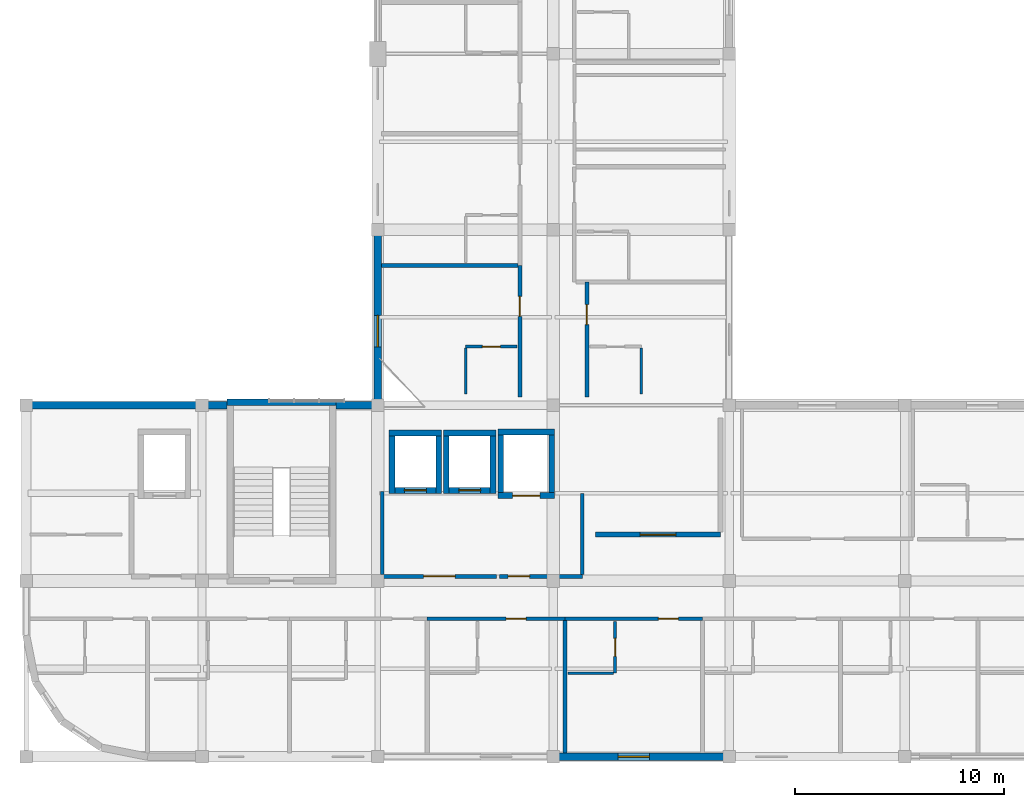
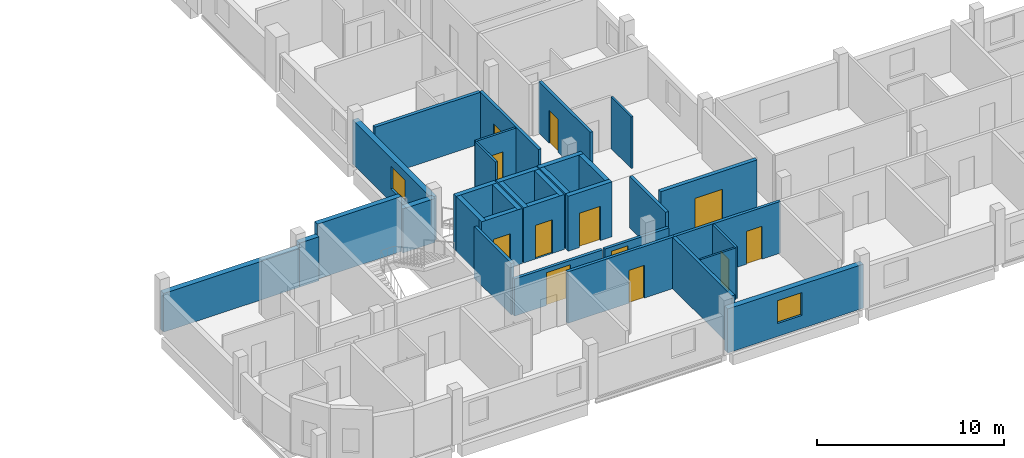
# One storey, part 12 of 24: 34 walls, 12 doors, 2 windows, 14 openings.
"""IFC4 building model written with IfcOpenShell, lengths in metres."""

from ifc_helpers import new_model, si_unit, derived_unit, direction, frame, frame_2d, origin, place, context, subcontext, project, spatial, rectangle, extrude, material, layer, layer_set, type_object, element, fill, save


model = new_model("IFC4")

# Units and contexts
model_context = context("Model", 3, precision=1e-05, world=origin(), true_north=direction((0.0, 1.0)))
body_context = subcontext(model_context, "Body", "Model", "MODEL_VIEW")
ifc_project = project(units=[si_unit("LENGTHUNIT", "METRE"), si_unit("AREAUNIT", "SQUARE_METRE"), si_unit("VOLUMEUNIT", "CUBIC_METRE"), si_unit("PLANEANGLEUNIT", "RADIAN"), si_unit("MASSUNIT", "GRAM", prefix="KILO"), derived_unit("THERMALTRANSMITTANCEUNIT", [(si_unit("POWERUNIT", "WATT"), 1), (si_unit("LENGTHUNIT", "METRE"), -2), (si_unit("THERMODYNAMICTEMPERATUREUNIT", "KELVIN"), -1)])], contexts=[model_context])

# Site, building, storey
site_placement = place(None, origin())
site = spatial("IfcSite", under=ifc_project, at=site_placement, CompositionType="ELEMENT")
building_placement = place(site_placement, origin())
building = spatial("IfcBuilding", under=site, at=building_placement, Name="Barrovel Congress Hotel", CompositionType="ELEMENT")
storey_placement = place(building_placement, frame((0.0, 0.0, 29.10009765625)))
storey = spatial("IfcBuildingStorey", under=building, at=storey_placement, Name="L07", CompositionType="ELEMENT", Elevation=29.10009765625)

# Walls
ifc_material_1 = material(Name="Fired Clay Brick Masonry", Category="masonry")
ifc_layer_1 = layer(ifc_material_1, 0.340087890625)
ifc_layer_set_1 = layer_set([ifc_layer_1], Name="Fired Clay Brick Masonry")
wall_type_1 = type_object("IfcWallType", Name="EW-BRK340", PredefinedType="STANDARD", material=ifc_layer_set_1)
wall_1_placement = place(storey_placement, frame((33.60009765625, 21.0, 0.0), z_axis=(0.0, 0.0, 1.0), x_axis=(-1.0, 0.0, 0.0)))
element("IfcWall", 1, at=wall_1_placement, inside=storey, type_object=wall_type_1, Name="EW:L07:HS-NW-1", PredefinedType="STANDARD", context=body_context, shape_type="SweptSolid", body=[
    extrude(rectangle(XDim=2.0, YDim=0.340087890625, at=frame_2d((1.0, 0.0))), origin(), (0.0, 0.0, 1.0), 2.8798828125),
])
wall_2_placement = place(storey_placement, frame((25.199951171875, 21.0, 0.0), z_axis=(0.0, 0.0, 1.0), x_axis=(-1.0, 0.0, 0.0)))
element("IfcWall", 2, at=wall_2_placement, inside=storey, type_object=wall_type_1, Name="EW:L07:HS-NW-2", PredefinedType="STANDARD", context=body_context, shape_type="SweptSolid", body=[
    extrude(rectangle(XDim=8.39990234375, YDim=0.340087890625, at=frame_2d((4.199951171875, 0.0))), origin(), (0.0, 0.0, 1.0), 2.52978515625),
])

# Wall, opening, window
wall_3_placement = place(storey_placement, frame((42.0, 4.199951171875, 0.0), z_axis=(0.0, 0.0, 1.0), x_axis=(1.0, 0.0, 0.0)))
wall_3 = element("IfcWall", 3, at=wall_3_placement, inside=storey, type_object=wall_type_1, Name="EW:L07:HS-S:P03", PredefinedType="STANDARD", context=body_context, shape_type="SweptSolid", body=[
    extrude(rectangle(XDim=8.39990234375, YDim=0.340087890625, at=frame_2d((4.199951171875, 0.0))), origin(), (0.0, 0.0, 1.0), 2.8798828125),
])
opening_1_placement = place(wall_3_placement, frame((3.091796875, 0.0, 0.85009765625)))
opening_1 = element("IfcOpeningElement", 4, at=opening_1_placement, cuts=wall_3, Name="Opening WN-07", PredefinedType="OPENING", context=body_context, shape_type="SweptSolid", body=[
    extrude(rectangle(XDim=1.5, YDim=1.5, at=frame_2d((0.75, 0.75))), frame((0.0, 0.18017578125, 0.0), z_axis=(0.0, -1.0, 0.0), x_axis=(1.0, 0.0, 0.0)), (0.0, 0.0, 1.0), 0.360107421875),
])
ifc_material_2 = material(Name="Double Low-E Insulated Glazing", Category="glass")
window_type = type_object("IfcWindowType", Name="WIN-WN-07", PartitioningType="SINGLE_PANEL", PredefinedType="WINDOW", material=ifc_material_2)
window_1_placement = place(opening_1_placement, origin())
window_1 = element("IfcWindow", 5, at=window_1_placement, inside=storey, type_object=window_type, Name="WIN:L07:U05", OverallHeight=1.5, OverallWidth=1.5, PartitioningType="SINGLE_PANEL", PredefinedType="WINDOW", context=body_context, shape_type="SweptSolid", body=[
    extrude(rectangle(XDim=1.5, YDim=1.5, at=frame_2d((0.75, 0.75))), frame((0.0, 0.030029296875, 0.0), z_axis=(0.0, -1.0, 0.0), x_axis=(1.0, 0.0, 0.0)), (0.0, 0.0, 1.0), 0.06005859375),
])
fill(opening_1, window_1)

wall_4_placement = place(storey_placement, frame((33.60009765625, 29.39990234375, 0.0), z_axis=(0.0, 0.0, 1.0), x_axis=(0.0, -1.0, 0.0)))
wall_4 = element("IfcWall", 6, at=wall_4_placement, inside=storey, type_object=wall_type_1, Name="EW:L07:HW-W:P04", PredefinedType="STANDARD", context=body_context, shape_type="SweptSolid", body=[
    extrude(rectangle(XDim=8.39990234375, YDim=0.340087890625, at=frame_2d((4.199951171875, 0.0))), origin(), (0.0, 0.0, 1.0), 2.8798828125),
])
opening_2_placement = place(wall_4_placement, frame((4.105712890625, 0.0, 0.85009765625)))
opening_2 = element("IfcOpeningElement", 7, at=opening_2_placement, cuts=wall_4, Name="Opening WN-07", PredefinedType="OPENING", context=body_context, shape_type="SweptSolid", body=[
    extrude(rectangle(XDim=1.5, YDim=1.5, at=frame_2d((0.75, 0.75))), frame((0.0, 0.18017578125, 0.0), z_axis=(0.0, -1.0, 0.0), x_axis=(1.0, 0.0, 0.0)), (0.0, 0.0, 1.0), 0.360107421875),
])
window_2_placement = place(opening_2_placement, origin())
window_2 = element("IfcWindow", 8, at=window_2_placement, inside=storey, type_object=window_type, Name="WIN:L07:U28", OverallHeight=1.5, OverallWidth=1.5, PartitioningType="SINGLE_PANEL", PredefinedType="WINDOW", context=body_context, shape_type="SweptSolid", body=[
    extrude(rectangle(XDim=1.5, YDim=1.5, at=frame_2d((0.75, 0.75))), frame((0.0, 0.030029296875, 0.0), z_axis=(0.0, -1.0, 0.0), x_axis=(1.0, 0.0, 0.0)), (0.0, 0.0, 1.0), 0.06005859375),
])
fill(opening_2, window_2)

# Wall
wall_5_placement = place(storey_placement, frame((26.39990234375, 21.0, 0.0), z_axis=(0.0, 0.0, 1.0), x_axis=(-1.0, 0.0, 0.0)))
element("IfcWall", 9, at=wall_5_placement, inside=storey, type_object=wall_type_1, Name="EW:L07:HS-NW-2:P01", PredefinedType="STANDARD", context=body_context, shape_type="SweptSolid", body=[
    extrude(rectangle(XDim=1.199951171875, YDim=0.340087890625, at=frame_2d((0.60009765625, 0.0))), origin(), (0.0, 0.0, 1.0), 2.8798828125),
])

# Wall, opening, door
ifc_material_3 = material(Name="Gypsum Acoustic Stud", Category="gypsum")
ifc_layer_2 = layer(ifc_material_3, 0.179931640625)
ifc_layer_set_2 = layer_set([ifc_layer_2], Name="Gypsum Acoustic Stud")
wall_type_2 = type_object("IfcWallType", Name="PW-ACU-180", PredefinedType="PARTITIONING", material=ifc_layer_set_2)
wall_6_placement = place(storey_placement, frame((35.966796875, 10.800048828125, 0.0), z_axis=(0.0, 0.0, 1.0), x_axis=(1.0, 0.0, 0.0)))
wall_6 = element("IfcWall", 10, at=wall_6_placement, inside=storey, type_object=wall_type_2, Name="PW:L07:U04:COR", PredefinedType="PARTITIONING", context=body_context, shape_type="SweptSolid", body=[
    extrude(rectangle(XDim=6.583251953125, YDim=0.179931640625, at=frame_2d((3.29150390625, 0.0))), origin(), (0.0, 0.0, 1.0), 3.375),
])
opening_3_placement = place(wall_6_placement, frame((3.7685546875, 0.0, 0.0)))
opening_3 = element("IfcOpeningElement", 11, at=opening_3_placement, cuts=wall_6, Name="Opening ID-HTL", PredefinedType="OPENING", context=body_context, shape_type="SweptSolid", body=[
    extrude(rectangle(XDim=0.9599609375, YDim=2.14990234375, at=frame_2d((0.47998046875, 1.074951171875))), frame((0.0, 0.10009765625, 0.0), z_axis=(0.0, -1.0, 0.0), x_axis=(1.0, 0.0, 0.0)), (0.0, 0.0, 1.0), 0.199951171875),
])
ifc_material_4 = material(Name="Solid Oak Acoustic Timber Door", Category="wood")
door_type_1 = type_object("IfcDoorType", Name="IDR-ID-HTL", OperationType="NOTDEFINED", PredefinedType="DOOR", material=ifc_material_4)
door_1_placement = place(opening_3_placement, origin())
door_1 = element("IfcDoor", 12, at=door_1_placement, inside=storey, type_object=door_type_1, Name="DR:L07:U04:ENT", OperationType="SINGLE_SWING_RIGHT", OverallHeight=2.14990234375, OverallWidth=0.9599609375, PredefinedType="DOOR", context=body_context, shape_type="SweptSolid", body=[
    extrude(rectangle(XDim=0.9599609375, YDim=2.14990234375, at=frame_2d((0.47998046875, 1.074951171875))), frame((0.0, 0.02490234375, 0.0), z_axis=(0.0, -1.0, 0.0), x_axis=(1.0, 0.0, 0.0)), (0.0, 0.0, 1.0), 0.050048828125),
])
fill(opening_3, door_1)

wall_7_placement = place(storey_placement, frame((42.550048828125, 10.800048828125, 0.0), z_axis=(0.0, 0.0, 1.0), x_axis=(1.0, 0.0, 0.0)))
wall_7 = element("IfcWall", 13, at=wall_7_placement, inside=storey, type_object=wall_type_2, Name="PW:L07:U05:COR", PredefinedType="PARTITIONING", context=body_context, shape_type="SweptSolid", body=[
    extrude(rectangle(XDim=6.583251953125, YDim=0.179931640625, at=frame_2d((3.29150390625, 0.0))), origin(), (0.0, 0.0, 1.0), 3.375),
])
opening_4_placement = place(wall_7_placement, frame((4.468505859375, 0.0, 0.0)))
opening_4 = element("IfcOpeningElement", 14, at=opening_4_placement, cuts=wall_7, Name="Opening ID-HTL", PredefinedType="OPENING", context=body_context, shape_type="SweptSolid", body=[
    extrude(rectangle(XDim=0.9599609375, YDim=2.14990234375, at=frame_2d((0.47998046875, 1.074951171875))), frame((0.0, 0.10009765625, 0.0), z_axis=(0.0, -1.0, 0.0), x_axis=(1.0, 0.0, 0.0)), (0.0, 0.0, 1.0), 0.199951171875),
])
door_2_placement = place(opening_4_placement, origin())
door_2 = element("IfcDoor", 15, at=door_2_placement, inside=storey, type_object=door_type_1, Name="DR:L07:U05:ENT", OperationType="SINGLE_SWING_RIGHT", OverallHeight=2.14990234375, OverallWidth=0.9599609375, PredefinedType="DOOR", context=body_context, shape_type="SweptSolid", body=[
    extrude(rectangle(XDim=0.9599609375, YDim=2.14990234375, at=frame_2d((0.47998046875, 1.074951171875))), frame((0.0, 0.02490234375, 0.0), z_axis=(0.0, -1.0, 0.0), x_axis=(1.0, 0.0, 0.0)), (0.0, 0.0, 1.0), 0.050048828125),
])
fill(opening_4, door_2)

wall_8_placement = place(storey_placement, frame((40.39990234375, 21.39990234375, 0.0), z_axis=(0.0, 0.0, 1.0), x_axis=(0.0, 1.0, 0.0)))
wall_8 = element("IfcWall", 16, at=wall_8_placement, inside=storey, type_object=wall_type_2, Name="PW:L07:U28:COR", PredefinedType="PARTITIONING", context=body_context, shape_type="SweptSolid", body=[
    extrude(rectangle(XDim=6.2890625, YDim=0.179931640625, at=frame_2d((3.14453125, 0.0))), origin(), (0.0, 0.0, 1.0), 3.375),
])
opening_5_placement = place(wall_8_placement, frame((3.849365234375, 0.0, 0.0)))
opening_5 = element("IfcOpeningElement", 17, at=opening_5_placement, cuts=wall_8, Name="Opening ID-HTL", PredefinedType="OPENING", context=body_context, shape_type="SweptSolid", body=[
    extrude(rectangle(XDim=0.9599609375, YDim=2.14990234375, at=frame_2d((0.47998046875, 1.074951171875))), frame((0.0, 0.10009765625, 0.0), z_axis=(0.0, -1.0, 0.0), x_axis=(1.0, 0.0, 0.0)), (0.0, 0.0, 1.0), 0.199951171875),
])
door_3_placement = place(opening_5_placement, origin())
door_3 = element("IfcDoor", 18, at=door_3_placement, inside=storey, type_object=door_type_1, Name="DR:L07:U28:ENT", OperationType="SINGLE_SWING_RIGHT", OverallHeight=2.14990234375, OverallWidth=0.9599609375, PredefinedType="DOOR", context=body_context, shape_type="SweptSolid", body=[
    extrude(rectangle(XDim=0.9599609375, YDim=2.14990234375, at=frame_2d((0.47998046875, 1.074951171875))), frame((0.0, 0.02490234375, 0.0), z_axis=(0.0, -1.0, 0.0), x_axis=(1.0, 0.0, 0.0)), (0.0, 0.0, 1.0), 0.050048828125),
])
fill(opening_5, door_3)

wall_9_placement = place(storey_placement, frame((43.60009765625, 21.39990234375, 0.0), z_axis=(0.0, 0.0, 1.0), x_axis=(0.0, 1.0, 0.0)))
wall_9 = element("IfcWall", 19, at=wall_9_placement, inside=storey, type_object=wall_type_2, Name="PW:L07:U37:COR", PredefinedType="PARTITIONING", context=body_context, shape_type="SweptSolid", body=[
    extrude(rectangle(XDim=5.5, YDim=0.179931640625, at=frame_2d((2.75, 0.0))), origin(), (0.0, 0.0, 1.0), 3.375),
])
opening_6_placement = place(wall_9_placement, frame((3.455078125, 0.0, 0.0)))
opening_6 = element("IfcOpeningElement", 20, at=opening_6_placement, cuts=wall_9, Name="Opening ID-HTL", PredefinedType="OPENING", context=body_context, shape_type="SweptSolid", body=[
    extrude(rectangle(XDim=0.9599609375, YDim=2.14990234375, at=frame_2d((0.47998046875, 1.074951171875))), frame((0.0, 0.10009765625, 0.0), z_axis=(0.0, -1.0, 0.0), x_axis=(1.0, 0.0, 0.0)), (0.0, 0.0, 1.0), 0.199951171875),
])
door_4_placement = place(opening_6_placement, origin())
door_4 = element("IfcDoor", 21, at=door_4_placement, inside=storey, type_object=door_type_1, Name="DR:L07:U37:ENT", OperationType="SINGLE_SWING_RIGHT", OverallHeight=2.14990234375, OverallWidth=0.9599609375, PredefinedType="DOOR", context=body_context, shape_type="SweptSolid", body=[
    extrude(rectangle(XDim=0.9599609375, YDim=2.14990234375, at=frame_2d((0.47998046875, 1.074951171875))), frame((0.0, 0.02490234375, 0.0), z_axis=(0.0, -1.0, 0.0), x_axis=(1.0, 0.0, 0.0)), (0.0, 0.0, 1.0), 0.050048828125),
])
fill(opening_6, door_4)

wall_10_placement = place(storey_placement, frame((33.820068359375, 12.820068359375, 0.0), z_axis=(0.0, 0.0, 1.0), x_axis=(1.0, 0.0, 0.0)))
wall_10 = element("IfcWall", 22, at=wall_10_placement, inside=storey, type_object=wall_type_2, Name="RW:SP:L07:LL-C1:S", PredefinedType="PARTITIONING", context=body_context, shape_type="SweptSolid", body=[
    extrude(rectangle(XDim=5.4599609375, YDim=0.179931640625, at=frame_2d((2.72998046875, 0.0))), origin(), (0.0, 0.0, 1.0), 2.429931640625),
])
opening_7_placement = place(wall_10_placement, frame((1.97998046875, 0.0, 0.0)))
opening_7 = element("IfcOpeningElement", 23, at=opening_7_placement, cuts=wall_10, Name="Opening ID-FFL", PredefinedType="OPENING", context=body_context, shape_type="SweptSolid", body=[
    extrude(rectangle(XDim=1.5, YDim=2.14990234375, at=frame_2d((0.75, 1.074951171875))), frame((0.0, 0.10009765625, 0.0), z_axis=(0.0, -1.0, 0.0), x_axis=(1.0, 0.0, 0.0)), (0.0, 0.0, 1.0), 0.199951171875),
])
ifc_material_5 = material(Name="Painted Hollow-Metal Steel Door", Category="steel")
door_type_2 = type_object("IfcDoorType", Name="IDR-ID-FFL", OperationType="NOTDEFINED", PredefinedType="DOOR", material=ifc_material_5)
door_5_placement = place(opening_7_placement, origin())
door_5 = element("IfcDoor", 24, at=door_5_placement, inside=storey, type_object=door_type_2, Name="RD:SP:L07:LL-C1", OperationType="DOUBLE_DOOR_SINGLE_SWING", OverallHeight=2.14990234375, OverallWidth=1.5, PredefinedType="DOOR", context=body_context, shape_type="SweptSolid", body=[
    extrude(rectangle(XDim=1.5, YDim=2.14990234375, at=frame_2d((0.75, 1.074951171875))), frame((0.0, 0.02490234375, 0.0), z_axis=(0.0, -1.0, 0.0), x_axis=(1.0, 0.0, 0.0)), (0.0, 0.0, 1.0), 0.050048828125),
])
fill(opening_7, door_5)

# Wall
wall_11_placement = place(storey_placement, frame((33.820068359375, 12.909912109375, 0.0), z_axis=(0.0, 0.0, 1.0), x_axis=(0.0, 1.0, 0.0)))
element("IfcWall", 25, at=wall_11_placement, inside=storey, type_object=wall_type_2, Name="RW:SP:L07:LL-C1:W", PredefinedType="PARTITIONING", context=body_context, shape_type="SweptSolid", body=[
    extrude(rectangle(XDim=3.969970703125, YDim=0.179931640625, at=frame_2d((1.98486328125, 0.0))), origin(), (0.0, 0.0, 1.0), 3.375),
])

# Wall, opening, door
wall_12_placement = place(storey_placement, frame((39.419921875, 12.820068359375, 0.0), z_axis=(0.0, 0.0, 1.0), x_axis=(1.0, 0.0, 0.0)))
wall_12 = element("IfcWall", 26, at=wall_12_placement, inside=storey, type_object=wall_type_2, Name="RW:SP:L07:LL-SL1:S", PredefinedType="PARTITIONING", context=body_context, shape_type="SweptSolid", body=[
    extrude(rectangle(XDim=3.9599609375, YDim=0.179931640625, at=frame_2d((1.97998046875, 0.0))), origin(), (0.0, 0.0, 1.0), 2.429931640625),
])
opening_8_placement = place(wall_12_placement, frame((0.419921875, 0.0, 0.0)))
opening_8 = element("IfcOpeningElement", 27, at=opening_8_placement, cuts=wall_12, Name="Opening ID-ACC", PredefinedType="OPENING", context=body_context, shape_type="SweptSolid", body=[
    extrude(rectangle(XDim=1.02001953125, YDim=2.14990234375, at=frame_2d((0.510009765625, 1.074951171875))), frame((0.0, 0.10009765625, 0.0), z_axis=(0.0, -1.0, 0.0), x_axis=(1.0, 0.0, 0.0)), (0.0, 0.0, 1.0), 0.199951171875),
])
door_type_3 = type_object("IfcDoorType", Name="IDR-ID-ACC", OperationType="NOTDEFINED", PredefinedType="DOOR", material=ifc_material_4)
door_6_placement = place(opening_8_placement, origin())
door_6 = element("IfcDoor", 28, at=door_6_placement, inside=storey, type_object=door_type_3, Name="RD:SP:L07:LL-SL1", OperationType="SINGLE_SWING_RIGHT", OverallHeight=2.14990234375, OverallWidth=1.02001953125, PredefinedType="DOOR", context=body_context, shape_type="SweptSolid", body=[
    extrude(rectangle(XDim=1.02001953125, YDim=2.14990234375, at=frame_2d((0.510009765625, 1.074951171875))), frame((0.0, 0.02490234375, 0.0), z_axis=(0.0, -1.0, 0.0), x_axis=(1.0, 0.0, 0.0)), (0.0, 0.0, 1.0), 0.050048828125),
])
fill(opening_8, door_6)

# Walls
wall_13_placement = place(storey_placement, frame((43.3798828125, 12.909912109375, 0.0), z_axis=(0.0, 0.0, 1.0), x_axis=(0.0, 1.0, 0.0)))
element("IfcWall", 29, at=wall_13_placement, inside=storey, type_object=wall_type_2, Name="RW:SP:L07:LL-SL1:E", PredefinedType="PARTITIONING", context=body_context, shape_type="SweptSolid", body=[
    extrude(rectangle(XDim=3.8701171875, YDim=0.179931640625, at=frame_2d((1.93505859375, 0.0))), origin(), (0.0, 0.0, 1.0), 3.375),
])
ifc_layer_3 = layer(ifc_material_3, 0.1201171875)
ifc_layer_set_3 = layer_set([ifc_layer_3], Name="Gypsum Acoustic Stud")
wall_type_3 = type_object("IfcWallType", Name="PW-INT-120", PredefinedType="PARTITIONING", material=ifc_layer_set_3)
for number, where, z_axis, x_axis, name in (
    (30, (42.68994140625, 8.199951171875, 0.0), (0.0, 0.0, 1.0), (1.0, 0.0, 0.0), "PW:L07:U05:B2"),
    (31, (37.800048828125, 21.5400390625, 0.0), (0.0, 0.0, 1.0), (0.0, 1.0, 0.0), "PW:L07:U28:B2"),
    (32, (46.199951171875, 21.5400390625, 0.0), (0.0, 0.0, 1.0), (0.0, 1.0, 0.0), "PW:L07:U37:B2"),
):
    element("IfcWall", number, at=place(storey_placement, frame(where, z_axis=z_axis, x_axis=x_axis)), inside=storey, type_object=wall_type_3, Name=name, PredefinedType="PARTITIONING", context=body_context, shape_type="SweptSolid", body=[
        extrude(rectangle(XDim=2.18994140625, YDim=0.1201171875, at=frame_2d((1.094970703125, 0.0))), origin(), (0.0, 0.0, 1.0), 3.375),
    ])
ifc_layer_4 = layer(ifc_material_1, 0.199951171875)
ifc_layer_set_4 = layer_set([ifc_layer_4], Name="Fired Clay Brick Masonry")
wall_type_4 = type_object("IfcWallType", Name="PW-MAS-200", PredefinedType="PARTITIONING", material=ifc_layer_set_4)
wall_14_placement = place(storey_placement, frame((42.550048828125, 4.3701171875, 0.0), z_axis=(0.0, 0.0, 1.0), x_axis=(0.0, 1.0, 0.0)))
element("IfcWall", 33, at=wall_14_placement, inside=storey, type_object=wall_type_4, Name="PW:L07:U04:DEM", PredefinedType="PARTITIONING", context=body_context, shape_type="SweptSolid", body=[
    extrude(rectangle(XDim=6.33984375, YDim=0.199951171875, at=frame_2d((3.169921875, 0.0))), origin(), (0.0, 0.0, 1.0), 3.375),
])
wall_15_placement = place(storey_placement, frame((33.77001953125, 27.68896484375, 0.0), z_axis=(0.0, 0.0, 1.0), x_axis=(1.0, 0.0, 0.0)))
element("IfcWall", 34, at=wall_15_placement, inside=storey, type_object=wall_type_4, Name="PW:L07:U28:DEM", PredefinedType="PARTITIONING", context=body_context, shape_type="SweptSolid", body=[
    extrude(rectangle(XDim=6.5400390625, YDim=0.199951171875, at=frame_2d((3.27001953125, 0.0))), origin(), (0.0, 0.0, 1.0), 3.375),
])

# Wall, opening, door
ifc_layer_5 = layer(ifc_material_1, 0.239990234375)
ifc_layer_set_5 = layer_set([ifc_layer_5], Name="Fired Clay Brick Masonry")
wall_type_5 = type_object("IfcWallType", Name="PW-MAS-240", PredefinedType="PARTITIONING", material=ifc_layer_set_5)
wall_16_placement = place(storey_placement, frame((44.02001953125, 14.820068359375, 0.0), z_axis=(0.0, 0.0, 1.0), x_axis=(1.0, 0.0, 0.0)))
wall_16 = element("IfcWall", 35, at=wall_16_placement, inside=storey, type_object=wall_type_5, Name="RW:SP:L07:LINEN:S", PredefinedType="PARTITIONING", context=body_context, shape_type="SweptSolid", body=[
    extrude(rectangle(XDim=5.9599609375, YDim=0.239990234375, at=frame_2d((2.97998046875, 0.0))), origin(), (0.0, 0.0, 1.0), 3.375),
])
opening_9_placement = place(wall_16_placement, frame((2.1298828125, 0.0, 0.0)))
opening_9 = element("IfcOpeningElement", 36, at=opening_9_placement, cuts=wall_16, Name="Opening ID-KIT", PredefinedType="OPENING", context=body_context, shape_type="SweptSolid", body=[
    extrude(rectangle(XDim=1.699951171875, YDim=2.199951171875, at=frame_2d((0.85009765625, 1.10009765625))), frame((0.0, 0.1298828125, 0.0), z_axis=(0.0, -1.0, 0.0), x_axis=(1.0, 0.0, 0.0)), (0.0, 0.0, 1.0), 0.260009765625),
])
ifc_material_6 = material(Name="Brushed Stainless Steel", Category="steel")
door_type_4 = type_object("IfcDoorType", Name="IDR-ID-KIT", OperationType="NOTDEFINED", PredefinedType="DOOR", material=ifc_material_6)
door_7_placement = place(opening_9_placement, origin())
door_7 = element("IfcDoor", 37, at=door_7_placement, inside=storey, type_object=door_type_4, Name="RD:SP:L07:LINEN", OperationType="DOUBLE_DOOR_SINGLE_SWING", OverallHeight=2.199951171875, OverallWidth=1.699951171875, PredefinedType="DOOR", context=body_context, shape_type="SweptSolid", body=[
    extrude(rectangle(XDim=1.699951171875, YDim=2.199951171875, at=frame_2d((0.85009765625, 1.10009765625))), frame((0.0, 0.02490234375, 0.0), z_axis=(0.0, -1.0, 0.0), x_axis=(1.0, 0.0, 0.0)), (0.0, 0.0, 1.0), 0.050048828125),
])
fill(opening_9, door_7)

ifc_material_7 = material(Name="Gypsum Moisture Board", Category="gypsum")
ifc_layer_6 = layer(ifc_material_7, 0.139892578125)
ifc_layer_set_6 = layer_set([ifc_layer_6], Name="Gypsum Moisture Board")
wall_type_6 = type_object("IfcWallType", Name="PW-WET-140", PredefinedType="PARTITIONING", material=ifc_layer_set_6)
wall_17_placement = place(storey_placement, frame((44.949951171875, 8.199951171875, 0.0), z_axis=(0.0, 0.0, 1.0), x_axis=(0.0, 1.0, 0.0)))
wall_17 = element("IfcWall", 38, at=wall_17_placement, inside=storey, type_object=wall_type_6, Name="PW:L07:U05:B1", PredefinedType="PARTITIONING", context=body_context, shape_type="SweptSolid", body=[
    extrude(rectangle(XDim=2.4599609375, YDim=0.139892578125, at=frame_2d((1.22998046875, 0.0))), origin(), (0.0, 0.0, 1.0), 3.375),
])
opening_10_placement = place(wall_17_placement, frame((0.800048828125, 0.0, 0.0)))
opening_10 = element("IfcOpeningElement", 39, at=opening_10_placement, cuts=wall_17, Name="Opening ID-ENS", PredefinedType="OPENING", context=body_context, shape_type="SweptSolid", body=[
    extrude(rectangle(XDim=0.860107421875, YDim=2.10009765625, at=frame_2d((0.43017578125, 1.050048828125))), frame((0.0, 0.080078125, 0.0), z_axis=(0.0, -1.0, 0.0), x_axis=(1.0, 0.0, 0.0)), (0.0, 0.0, 1.0), 0.159912109375),
])
ifc_material_8 = material(Name="Lacquered Timber Moisture Door", Category="wood")
door_type_5 = type_object("IfcDoorType", Name="IDR-ID-ENS", OperationType="NOTDEFINED", PredefinedType="DOOR", material=ifc_material_8)
door_8_placement = place(opening_10_placement, origin())
door_8 = element("IfcDoor", 40, at=door_8_placement, inside=storey, type_object=door_type_5, Name="DR:L07:U05:ENS", OperationType="SINGLE_SWING_LEFT", OverallHeight=2.10009765625, OverallWidth=0.860107421875, PredefinedType="DOOR", context=body_context, shape_type="SweptSolid", body=[
    extrude(rectangle(XDim=0.860107421875, YDim=2.10009765625, at=frame_2d((0.43017578125, 1.050048828125))), frame((0.0, 0.02490234375, 0.0), z_axis=(0.0, -1.0, 0.0), x_axis=(1.0, 0.0, 0.0)), (0.0, 0.0, 1.0), 0.050048828125),
])
fill(opening_10, door_8)

wall_18_placement = place(storey_placement, frame((37.800048828125, 23.800048828125, 0.0), z_axis=(0.0, 0.0, 1.0), x_axis=(1.0, 0.0, 0.0)))
wall_18 = element("IfcWall", 41, at=wall_18_placement, inside=storey, type_object=wall_type_6, Name="PW:L07:U28:B1", PredefinedType="PARTITIONING", context=body_context, shape_type="SweptSolid", body=[
    extrude(rectangle(XDim=2.4599609375, YDim=0.139892578125, at=frame_2d((1.22998046875, 0.0))), origin(), (0.0, 0.0, 1.0), 3.375),
])
opening_11_placement = place(wall_18_placement, frame((0.800048828125, 0.0, 0.0)))
opening_11 = element("IfcOpeningElement", 42, at=opening_11_placement, cuts=wall_18, Name="Opening ID-ENS", PredefinedType="OPENING", context=body_context, shape_type="SweptSolid", body=[
    extrude(rectangle(XDim=0.860107421875, YDim=2.10009765625, at=frame_2d((0.43017578125, 1.050048828125))), frame((0.0, 0.080078125, 0.0), z_axis=(0.0, -1.0, 0.0), x_axis=(1.0, 0.0, 0.0)), (0.0, 0.0, 1.0), 0.159912109375),
])
door_9_placement = place(opening_11_placement, origin())
door_9 = element("IfcDoor", 43, at=door_9_placement, inside=storey, type_object=door_type_5, Name="DR:L07:U28:ENS", OperationType="SINGLE_SWING_LEFT", OverallHeight=2.10009765625, OverallWidth=0.860107421875, PredefinedType="DOOR", context=body_context, shape_type="SweptSolid", body=[
    extrude(rectangle(XDim=0.860107421875, YDim=2.10009765625, at=frame_2d((0.43017578125, 1.050048828125))), frame((0.0, 0.02490234375, 0.0), z_axis=(0.0, -1.0, 0.0), x_axis=(1.0, 0.0, 0.0)), (0.0, 0.0, 1.0), 0.050048828125),
])
fill(opening_11, door_9)

ifc_material_9 = material(Name="Concrete C40", Category="concrete")
ifc_layer_7 = layer(ifc_material_9, 0.280029296875)
ifc_layer_set_7 = layer_set([ifc_layer_7], Name="Concrete C40")
wall_type_7 = type_object("IfcWallType", Name="SW-C40-280", PredefinedType="SHEAR", material=ifc_layer_set_7)
wall_19_placement = place(storey_placement, frame((34.139892578125, 16.929931640625, 0.0), z_axis=(0.0, 0.0, 1.0), x_axis=(1.0, 0.0, 0.0)))
wall_19 = element("IfcWall", 44, at=wall_19_placement, inside=storey, type_object=wall_type_7, Name="LSH:PL-1:L07:S", PredefinedType="SHEAR", context=body_context, shape_type="SweptSolid", body=[
    extrude(rectangle(XDim=2.52001953125, YDim=0.280029296875, at=frame_2d((1.260009765625, 0.0))), origin(), (0.0, 0.0, 1.0), 3.599853515625),
])
opening_12_placement = place(wall_19_placement, frame((0.735107421875, 0.0, 0.0)))
opening_12 = element("IfcOpeningElement", 45, at=opening_12_placement, cuts=wall_19, Name="Opening LD-PAX", PredefinedType="OPENING", context=body_context, shape_type="SweptSolid", body=[
    extrude(rectangle(XDim=1.050048828125, YDim=2.199951171875, at=frame_2d((0.52490234375, 1.10009765625))), frame((0.0, 0.14990234375, 0.0), z_axis=(0.0, -1.0, 0.0), x_axis=(1.0, 0.0, 0.0)), (0.0, 0.0, 1.0), 0.300048828125),
])
door_type_6 = type_object("IfcDoorType", Name="IDR-LD-PAX", OperationType="NOTDEFINED", PredefinedType="DOOR", material=ifc_material_6)
door_10_placement = place(opening_12_placement, origin())
door_10 = element("IfcDoor", 46, at=door_10_placement, inside=storey, type_object=door_type_6, Name="Lift Landing Door LD-PL-1-L07", OperationType="SLIDING_TO_LEFT", OverallHeight=2.199951171875, OverallWidth=1.050048828125, PredefinedType="DOOR", context=body_context, shape_type="SweptSolid", body=[
    extrude(rectangle(XDim=1.050048828125, YDim=2.199951171875, at=frame_2d((0.52490234375, 1.10009765625))), frame((0.0, 0.02490234375, 0.0), z_axis=(0.0, -1.0, 0.0), x_axis=(1.0, 0.0, 0.0)), (0.0, 0.0, 1.0), 0.050048828125),
])
fill(opening_12, door_10)

# Walls
wall_20_placement = place(storey_placement, frame((36.52001953125, 16.7900390625, 0.0), z_axis=(0.0, 0.0, 1.0), x_axis=(0.0, 1.0, 0.0)))
element("IfcWall", 47, at=wall_20_placement, inside=storey, type_object=wall_type_7, Name="LSH:PL-1:L07:E", PredefinedType="SHEAR", context=body_context, shape_type="SweptSolid", body=[
    extrude(rectangle(XDim=3.02001953125, YDim=0.280029296875, at=frame_2d((1.510009765625, 0.0))), origin(), (0.0, 0.0, 1.0), 3.599853515625),
])
wall_21_placement = place(storey_placement, frame((36.659912109375, 19.669921875, 0.0), z_axis=(0.0, 0.0, 1.0), x_axis=(-1.0, 0.0, 0.0)))
element("IfcWall", 48, at=wall_21_placement, inside=storey, type_object=wall_type_7, Name="LSH:PL-1:L07:N", PredefinedType="SHEAR", context=body_context, shape_type="SweptSolid", body=[
    extrude(rectangle(XDim=2.52001953125, YDim=0.280029296875, at=frame_2d((1.260009765625, 0.0))), origin(), (0.0, 0.0, 1.0), 3.599853515625),
])
wall_22_placement = place(storey_placement, frame((34.280029296875, 19.81005859375, 0.0), z_axis=(0.0, 0.0, 1.0), x_axis=(0.0, -1.0, 0.0)))
element("IfcWall", 49, at=wall_22_placement, inside=storey, type_object=wall_type_7, Name="LSH:PL-1:L07:W", PredefinedType="SHEAR", context=body_context, shape_type="SweptSolid", body=[
    extrude(rectangle(XDim=3.02001953125, YDim=0.280029296875, at=frame_2d((1.510009765625, 0.0))), origin(), (0.0, 0.0, 1.0), 3.599853515625),
])

# Wall, opening, door
wall_23_placement = place(storey_placement, frame((36.739990234375, 16.929931640625, 0.0), z_axis=(0.0, 0.0, 1.0), x_axis=(1.0, 0.0, 0.0)))
wall_23 = element("IfcWall", 50, at=wall_23_placement, inside=storey, type_object=wall_type_7, Name="LSH:PL-2:L07:S", PredefinedType="SHEAR", context=body_context, shape_type="SweptSolid", body=[
    extrude(rectangle(XDim=2.52001953125, YDim=0.280029296875, at=frame_2d((1.260009765625, 0.0))), origin(), (0.0, 0.0, 1.0), 3.599853515625),
])
opening_13_placement = place(wall_23_placement, frame((0.735107421875, 0.0, 0.0)))
opening_13 = element("IfcOpeningElement", 51, at=opening_13_placement, cuts=wall_23, Name="Opening LD-PAX", PredefinedType="OPENING", context=body_context, shape_type="SweptSolid", body=[
    extrude(rectangle(XDim=1.050048828125, YDim=2.199951171875, at=frame_2d((0.52490234375, 1.10009765625))), frame((0.0, 0.14990234375, 0.0), z_axis=(0.0, -1.0, 0.0), x_axis=(1.0, 0.0, 0.0)), (0.0, 0.0, 1.0), 0.300048828125),
])
door_11_placement = place(opening_13_placement, origin())
door_11 = element("IfcDoor", 52, at=door_11_placement, inside=storey, type_object=door_type_6, Name="Lift Landing Door LD-PL-2-L07", OperationType="SLIDING_TO_LEFT", OverallHeight=2.199951171875, OverallWidth=1.050048828125, PredefinedType="DOOR", context=body_context, shape_type="SweptSolid", body=[
    extrude(rectangle(XDim=1.050048828125, YDim=2.199951171875, at=frame_2d((0.52490234375, 1.10009765625))), frame((0.0, 0.02490234375, 0.0), z_axis=(0.0, -1.0, 0.0), x_axis=(1.0, 0.0, 0.0)), (0.0, 0.0, 1.0), 0.050048828125),
])
fill(opening_13, door_11)

# Walls
wall_24_placement = place(storey_placement, frame((39.1201171875, 16.7900390625, 0.0), z_axis=(0.0, 0.0, 1.0), x_axis=(0.0, 1.0, 0.0)))
element("IfcWall", 53, at=wall_24_placement, inside=storey, type_object=wall_type_7, Name="LSH:PL-2:L07:E", PredefinedType="SHEAR", context=body_context, shape_type="SweptSolid", body=[
    extrude(rectangle(XDim=3.02001953125, YDim=0.280029296875, at=frame_2d((1.510009765625, 0.0))), origin(), (0.0, 0.0, 1.0), 3.599853515625),
])
wall_25_placement = place(storey_placement, frame((39.260009765625, 19.669921875, 0.0), z_axis=(0.0, 0.0, 1.0), x_axis=(-1.0, 0.0, 0.0)))
element("IfcWall", 54, at=wall_25_placement, inside=storey, type_object=wall_type_7, Name="LSH:PL-2:L07:N", PredefinedType="SHEAR", context=body_context, shape_type="SweptSolid", body=[
    extrude(rectangle(XDim=2.52001953125, YDim=0.280029296875, at=frame_2d((1.260009765625, 0.0))), origin(), (0.0, 0.0, 1.0), 3.599853515625),
])
wall_26_placement = place(storey_placement, frame((36.8798828125, 19.81005859375, 0.0), z_axis=(0.0, 0.0, 1.0), x_axis=(0.0, -1.0, 0.0)))
element("IfcWall", 55, at=wall_26_placement, inside=storey, type_object=wall_type_7, Name="LSH:PL-2:L07:W", PredefinedType="SHEAR", context=body_context, shape_type="SweptSolid", body=[
    extrude(rectangle(XDim=3.02001953125, YDim=0.280029296875, at=frame_2d((1.510009765625, 0.0))), origin(), (0.0, 0.0, 1.0), 3.599853515625),
])

# Wall, opening, door
wall_27_placement = place(storey_placement, frame((39.340087890625, 16.679931640625, 0.0), z_axis=(0.0, 0.0, 1.0), x_axis=(1.0, 0.0, 0.0)))
wall_27 = element("IfcWall", 56, at=wall_27_placement, inside=storey, type_object=wall_type_7, Name="LSH:SL-1:L07:S", PredefinedType="SHEAR", context=body_context, shape_type="SweptSolid", body=[
    extrude(rectangle(XDim=2.719970703125, YDim=0.280029296875, at=frame_2d((1.35986328125, 0.0))), origin(), (0.0, 0.0, 1.0), 3.599853515625),
])
opening_14_placement = place(wall_27_placement, frame((0.7099609375, 0.0, 0.0)))
opening_14 = element("IfcOpeningElement", 57, at=opening_14_placement, cuts=wall_27, Name="Opening LD-SRV", PredefinedType="OPENING", context=body_context, shape_type="SweptSolid", body=[
    extrude(rectangle(XDim=1.300048828125, YDim=2.25, at=frame_2d((0.64990234375, 1.125))), frame((0.0, 0.14990234375, 0.0), z_axis=(0.0, -1.0, 0.0), x_axis=(1.0, 0.0, 0.0)), (0.0, 0.0, 1.0), 0.300048828125),
])
door_type_7 = type_object("IfcDoorType", Name="IDR-LD-SRV", OperationType="NOTDEFINED", PredefinedType="DOOR", material=ifc_material_6)
door_12_placement = place(opening_14_placement, origin())
door_12 = element("IfcDoor", 58, at=door_12_placement, inside=storey, type_object=door_type_7, Name="Lift Landing Door LD-SL-1-L07", OperationType="SLIDING_TO_LEFT", OverallHeight=2.25, OverallWidth=1.300048828125, PredefinedType="DOOR", context=body_context, shape_type="SweptSolid", body=[
    extrude(rectangle(XDim=1.300048828125, YDim=2.25, at=frame_2d((0.64990234375, 1.125))), frame((0.0, 0.02490234375, 0.0), z_axis=(0.0, -1.0, 0.0), x_axis=(1.0, 0.0, 0.0)), (0.0, 0.0, 1.0), 0.050048828125),
])
fill(opening_14, door_12)

# Walls
wall_28_placement = place(storey_placement, frame((41.919921875, 16.5400390625, 0.0), z_axis=(0.0, 0.0, 1.0), x_axis=(0.0, 1.0, 0.0)))
element("IfcWall", 59, at=wall_28_placement, inside=storey, type_object=wall_type_7, Name="LSH:SL-1:L07:E", PredefinedType="SHEAR", context=body_context, shape_type="SweptSolid", body=[
    extrude(rectangle(XDim=3.320068359375, YDim=0.280029296875, at=frame_2d((1.66015625, 0.0))), origin(), (0.0, 0.0, 1.0), 3.599853515625),
])
wall_29_placement = place(storey_placement, frame((42.06005859375, 19.719970703125, 0.0), z_axis=(0.0, 0.0, 1.0), x_axis=(-1.0, 0.0, 0.0)))
element("IfcWall", 60, at=wall_29_placement, inside=storey, type_object=wall_type_7, Name="LSH:SL-1:L07:N", PredefinedType="SHEAR", context=body_context, shape_type="SweptSolid", body=[
    extrude(rectangle(XDim=2.719970703125, YDim=0.280029296875, at=frame_2d((1.35986328125, 0.0))), origin(), (0.0, 0.0, 1.0), 3.599853515625),
])
wall_30_placement = place(storey_placement, frame((39.47998046875, 19.860107421875, 0.0), z_axis=(0.0, 0.0, 1.0), x_axis=(0.0, -1.0, 0.0)))
element("IfcWall", 61, at=wall_30_placement, inside=storey, type_object=wall_type_7, Name="LSH:SL-1:L07:W", PredefinedType="SHEAR", context=body_context, shape_type="SweptSolid", body=[
    extrude(rectangle(XDim=3.320068359375, YDim=0.280029296875, at=frame_2d((1.66015625, 0.0))), origin(), (0.0, 0.0, 1.0), 3.599853515625),
])
ifc_layer_8 = layer(ifc_material_9, 0.300048828125)
ifc_layer_set_8 = layer_set([ifc_layer_8], Name="Concrete C40")
wall_type_8 = type_object("IfcWallType", Name="SW-C40-300", PredefinedType="SHEAR", material=ifc_layer_set_8)
wall_31_placement = place(storey_placement, frame((31.60009765625, 21.14990234375, 0.0), z_axis=(0.0, 0.0, 1.0), x_axis=(-1.0, 0.0, 0.0)))
element("IfcWall", 62, at=wall_31_placement, inside=storey, type_object=wall_type_8, Name="SHW:XS-01:L07:N", PredefinedType="SHEAR", context=body_context, shape_type="SweptSolid", body=[
    extrude(rectangle(XDim=5.2001953125, YDim=0.300048828125, at=frame_2d((2.60009765625, 0.0))), origin(), (0.0, 0.0, 1.0), 3.599853515625),
])

save(model, "model.ifc")
